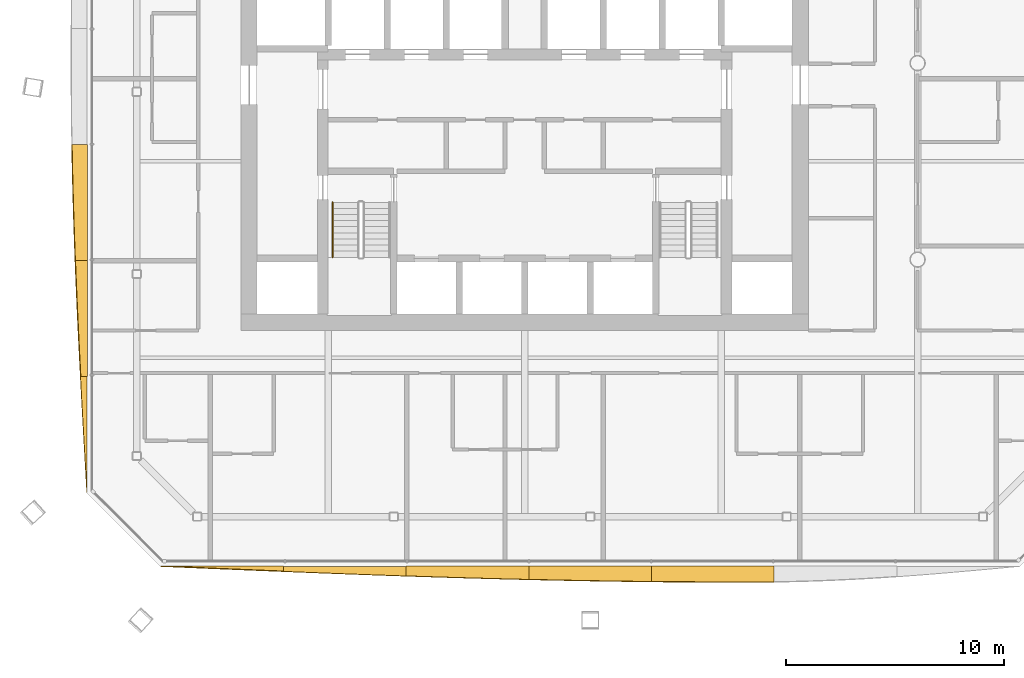
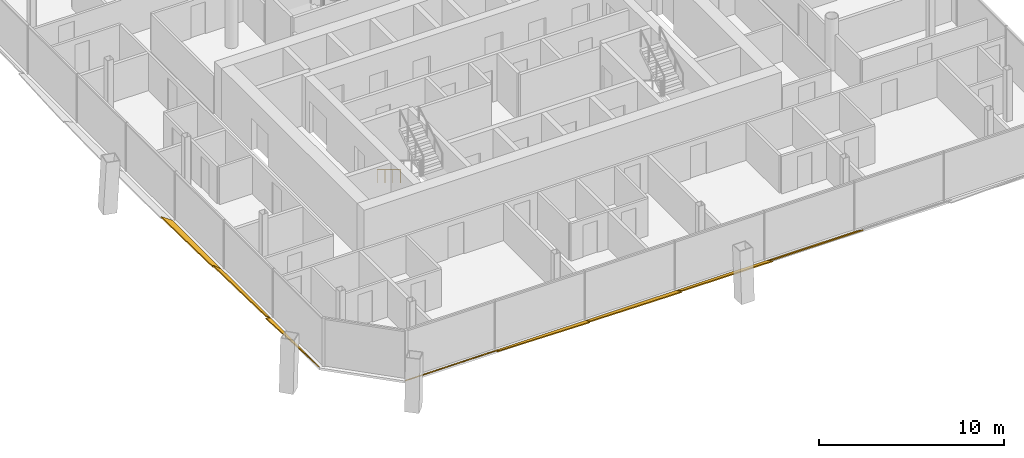
# One storey, part 17 of 21: 8 shading devices, 1 railing.
"""IFC4 building model written with IfcOpenShell, lengths in metres."""

from ifc_helpers import new_model, si_unit, direction, frame, origin, origin_2d, place, context, subcontext, project, spatial, polyline, circle, outline, extrude, material, layer, layer_set, type_object, element, save


model = new_model("IFC4")

# Units and contexts
model_context = context("Model", 3, precision=1e-05, world=origin(), true_north=direction((0.0, 1.0)))
body_context = subcontext(model_context, "Body", "Model", "MODEL_VIEW")
ifc_project = project(units=[si_unit("LENGTHUNIT", "METRE"), si_unit("AREAUNIT", "SQUARE_METRE"), si_unit("VOLUMEUNIT", "CUBIC_METRE"), si_unit("PLANEANGLEUNIT", "RADIAN"), si_unit("MASSUNIT", "GRAM", prefix="KILO")], contexts=[model_context])

# Site, building, storey
site_placement = place(None, origin())
site = spatial("IfcSite", under=ifc_project, at=site_placement, CompositionType="ELEMENT")
building_placement = place(site_placement, origin())
building = spatial("IfcBuilding", under=site, at=building_placement, Name="Tskaro Facet Tower", CompositionType="ELEMENT")
storey_placement = place(building_placement, frame((0.0, 0.0, 138.5)))
storey = spatial("IfcBuildingStorey", under=building, at=storey_placement, Name="L33", CompositionType="ELEMENT", Elevation=138.5)

# Shading devices
ifc_material_1 = material(Name="Bronze anodised aluminium 6063-T6", Category="aluminium")
ifc_layer = layer(ifc_material_1, 0.06005859375, Name="Bronze anodised aluminium 6063-T6")
ifc_layer_set = layer_set([ifc_layer], Name="Bronze anodised aluminium 6063-T6")
shading_device_type = type_object("IfcShadingDeviceType", Name="Bronze sun blade (FN1)", PredefinedType="USERDEFINED", material=ifc_layer_set)
shading_device_1_placement = place(storey_placement, frame((-16.677978515625, -23.031494140625, 0.0458984375), z_axis=(9.914911e-06, 0.643219878062, 0.765681518889), x_axis=(0.999999999951, -6.377468e-06, -7.591664e-06)))
element("IfcShadingDevice", 1, at=shading_device_1_placement, inside=storey, type_object=shading_device_type, Name="Fin blade south 1", ObjectType="FIN", PredefinedType="USERDEFINED", context=body_context, shape_type="SweptSolid", body=[
    extrude(outline(polyline([(0.0, 0.0), (5.622314452848648, -4.7622855816209186e-21), (5.622314453403741, -0.30637167512443597), (4.919433593530903, -0.2691108631694683), (4.2167968745794875, -0.23150608114686888), (3.513916015299519, -0.1935573290566376), (2.8110351563159846, -0.15526460689877453), (2.1083984382538734, -0.11662791467327967), (1.405517578009775, -0.07780428848320317), (0.7028808583906647, -0.038980662293126675), (0.0, 0.0)])), origin(), (0.0, 0.0, -1.0), 0.06005859375),
])
shading_device_2_placement = place(storey_placement, frame((-11.0556640625, -23.049560546875, 0.056396484375), z_axis=(-6.369842e-06, 0.342156479023, 0.939642987428), x_axis=(0.99999999998, 2.179483e-06, 5.985378e-06)))
element("IfcShadingDevice", 2, at=shading_device_2_placement, inside=storey, type_object=shading_device_type, Name="Fin blade south 2", ObjectType="FIN", PredefinedType="USERDEFINED", context=body_context, shape_type="SweptSolid", body=[
    extrude(outline(polyline([(0.0, 0.0), (5.6223144530109375, 0.0), (5.622314453412954, -0.472900386413554), (4.919433593592185, -0.4474114591638326), (4.216552734438543, -0.42092137751254477), (3.513916015512822, -0.3938889515121545), (2.811035156097134, -0.36608477613642965), (2.1083984369093676, -0.33773825641160243), (1.4055175781608062, -0.30893292663431104), (0.7026367190151718, -0.27958525250791716), (9.745930227800244e-11, -0.24969523403242092), (0.0, 0.0)])), origin(), (0.0, 0.0, -1.0), 0.06005859375),
])
shading_device_3_placement = place(storey_placement, frame((-5.433349609375, -23.044677734375, 0.054443359375), z_axis=(1.0813242e-05, 0.422540055282, 0.906344251135), x_axis=(0.999999999942, -4.569028e-06, -9.800519e-06)))
element("IfcShadingDevice", 3, at=shading_device_3_placement, inside=storey, type_object=shading_device_type, Name="Fin blade south 3", ObjectType="FIN", PredefinedType="USERDEFINED", context=body_context, shape_type="SweptSolid", body=[
    extrude(outline(polyline([(0.0, 0.0), (5.622314452796303, 0.0), (5.622314453863188, -0.669873553907434), (4.919433593011868, -0.6510831780888379), (4.216552734876722, -0.6310982228828707), (3.5139160152973257, -0.6101250066759127), (2.811035155416412, -0.5880603702747739), (2.1083984364839536, -0.564904313679454), (1.4055175783654628, -0.5408781123419034), (0.7026367192932214, -0.5160849254553121), (-1.0778538040035686e-10, -0.49052475301968024), (0.0, 0.0)])), origin(), (0.0, 0.0, -1.0), 0.06005859375),
])
shading_device_4_placement = place(storey_placement, frame((0.18896484375, -23.0400390625, 0.052001953125), z_axis=(1.095562e-06, 0.499981615758, 0.86603601767), x_axis=(0.999999999999, -5.47761e-07, -9.48796e-07)))
element("IfcShadingDevice", 4, at=shading_device_4_placement, inside=storey, type_object=shading_device_type, Name="Fin blade south 4", ObjectType="FIN", PredefinedType="USERDEFINED", context=body_context, shape_type="SweptSolid", body=[
    extrude(outline(polyline([(0.0, 0.0), (5.622070312496627, 0.0), (5.622070312469562, -0.8144402807951227), (4.919433593805934, -0.8048101887746184), (4.216552734311932, -0.7938787922326609), (3.513916015602926, -0.7817354599197174), (2.8110351561614566, -0.7679573226865339), (2.1081542970137126, -0.753178684256991), (1.405517578151865, -0.7368873067313682), (0.7026367187271041, -0.7197174938335456), (-4.639100920141299e-11, -0.7011243105901102), (0.0, 0.0)])), origin(), (0.0, 0.0, -1.0), 0.06005859375),
])
shading_device_5_placement = place(storey_placement, frame((5.81103515625, -23.03564453125, 0.049072265625), z_axis=(2.0031655e-05, 0.5736499686, 0.81910055129), x_axis=(0.999999999799, -1.1491158e-05, -1.640794e-05)))
element("IfcShadingDevice", 5, at=shading_device_5_placement, inside=storey, type_object=shading_device_type, Name="Fin blade south 5", ObjectType="FIN", PredefinedType="USERDEFINED", context=body_context, shape_type="SweptSolid", body=[
    extrude(outline(polyline([(0.0, 0.0), (5.622314451996974, 9.524571163241837e-21), (5.622314453643441, -0.8827944014950013), (4.919677735871133, -0.8905146929439002), (4.509277344532774, -0.8917347496118601), (4.216796873035998, -0.8915347738912902), (3.5139160145977177, -0.8903147172233303), (2.8112792959750172, -0.8873346011843775), (2.108398434717607, -0.8829344527568947), (1.4057617188866918, -0.8771741963995586), (0.7028808604210668, -0.8699939076536929), (-2.8597756233847947e-09, -0.8611936107987275), (0.0, 0.0)])), origin(), (0.0, 0.0, -1.0), 0.06005859375),
])
shading_device_6_placement = place(storey_placement, frame((-20.03564453125, -3.7333984375, 0.049072265625), z_axis=(0.573730970516, 2.7246126e-05, 0.819043816123), x_axis=(1.5631946e-05, -0.999999999629, 2.2315771e-05)))
element("IfcShadingDevice", 6, at=shading_device_6_placement, inside=storey, type_object=shading_device_type, Name="Fin blade west 5", ObjectType="FIN", PredefinedType="USERDEFINED", context=body_context, shape_type="SweptSolid", body=[
    extrude(outline(polyline([(0.0, 0.0), (5.314941404277223, 1.8007721935279412e-20), (5.314941407077702, -0.6624058792784581), (4.6506347642484025, -0.6927470336234908), (3.986083985716199, -0.7211281707327079), (3.3217773434663336, -0.7476091814375784), (2.657470700690289, -0.7719901038688576), (1.993164057388064, -0.7942709380265456), (1.3288574228242394, -0.8143917930791731), (0.6643066416611397, -0.8322724888204336), (-4.851416148894517e-09, -0.8479130252503273), (0.0, 0.0)])), origin(), (0.0, 0.0, -1.0), 0.06005859375),
])
shading_device_7_placement = place(storey_placement, frame((-20.031494140625, -9.04833984375, 0.0458984375), z_axis=(0.642890795219, 4.478265e-06, 0.76595784832), x_axis=(2.879035e-06, -0.99999999999, 3.430162e-06)))
element("IfcShadingDevice", 7, at=shading_device_7_placement, inside=storey, type_object=shading_device_type, Name="Fin blade west 6", ObjectType="FIN", PredefinedType="USERDEFINED", context=body_context, shape_type="SweptSolid", body=[
    extrude(outline(polyline([(0.0, 0.0), (5.3146972655717075, 0.0), (5.314697265886319, -0.3876455677469095), (4.650390624978712, -0.4325335488139922), (3.98608398450489, -0.4765466140765259), (3.321777344195747, -0.5189968491577756), (2.6574707026455058, -0.56025825691337), (1.9929199213378357, -0.5997698330598661), (1.3286132808198423, -0.6377185790250783), (0.6643066411694185, -0.6739174933811924), (8.790496361852542e-12, -0.7082396660349163), (0.0, 0.0)])), origin(), (0.0, 0.0, -1.0), 0.06005859375),
])
shading_device_8_placement = place(storey_placement, frame((-20.049560546875, -14.363037109375, 0.056396484375), z_axis=(0.342194206111, -6.474541e-06, 0.939629248833), x_axis=(-2.215551e-06, -0.999999999979, -6.083668e-06)))
element("IfcShadingDevice", 8, at=shading_device_8_placement, inside=storey, type_object=shading_device_type, Name="Fin blade west 7", ObjectType="FIN", PredefinedType="USERDEFINED", context=body_context, shape_type="SweptSolid", body=[
    extrude(outline(polyline([(0.0, 0.0), (5.3149414061386, -2.2509652419099266e-21), (4.650634765248418, -0.04054864076409402), (3.9863281243582365, -0.08109728152818804), (3.3217773437874243, -0.12133297711284592), (2.6574707033007012, -0.16133927102542062), (1.9931640622730722, -0.20111616326591217), (1.328857422593267, -0.24003776347544825), (0.664550781290744, -0.2782711586687348), (-2.3331522094881295e-10, -0.31596220701050204), (0.0, 0.0)])), origin(), (0.0, 0.0, -1.0), 0.06005859375),
])

# Railing
ifc_material_2 = material(Name="Stainless steel", Category="steel")
railing_type = type_object("IfcRailingType", Name="RL-HANDRAIL-900", PredefinedType="HANDRAIL", material=ifc_material_2)
railing_placement = place(storey_placement, frame((-8.800048828125, -6.375, 0.169921875)))
element("IfcRailing", 9, at=railing_placement, inside=storey, type_object=railing_type, Name="L33 ST-1 stair handrail 1", PredefinedType="HANDRAIL", context=body_context, shape_type="SweptSolid", body=[
    extrude(circle(Radius=0.02392578125, at=origin_2d()), frame((0.0, 0.0, 0.8759765625), z_axis=(0.0, -0.85478489116, 0.518982456201), x_axis=(1.0, 0.0, 0.0)), (0.0, 0.0, 1.0), 2.9482421875),
    extrude(circle(Radius=0.02099609375, at=origin_2d()), origin(), (0.0, 0.0, 1.0), 0.851806640625),
    extrude(circle(Radius=0.02099609375, at=origin_2d()), frame((0.0, -0.840087890625, 0.510009765625)), (0.0, 0.0, 1.0), 0.851806640625),
    extrude(circle(Radius=0.02099609375, at=origin_2d()), frame((0.0, -1.679931640625, 1.02001953125)), (0.0, 0.0, 1.0), 0.851806640625),
    extrude(circle(Radius=0.02099609375, at=origin_2d()), frame((0.0, -2.52001953125, 1.530029296875)), (0.0, 0.0, 1.0), 0.851806640625),
])

save(model, "model.ifc")
